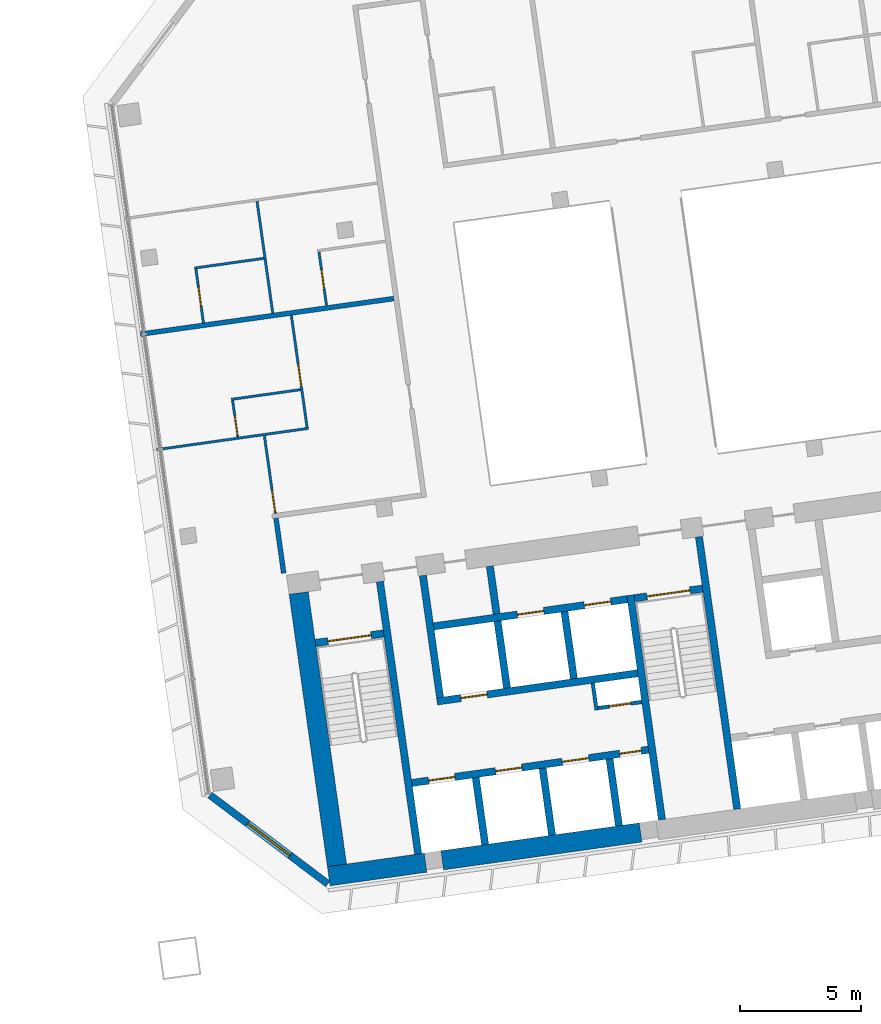
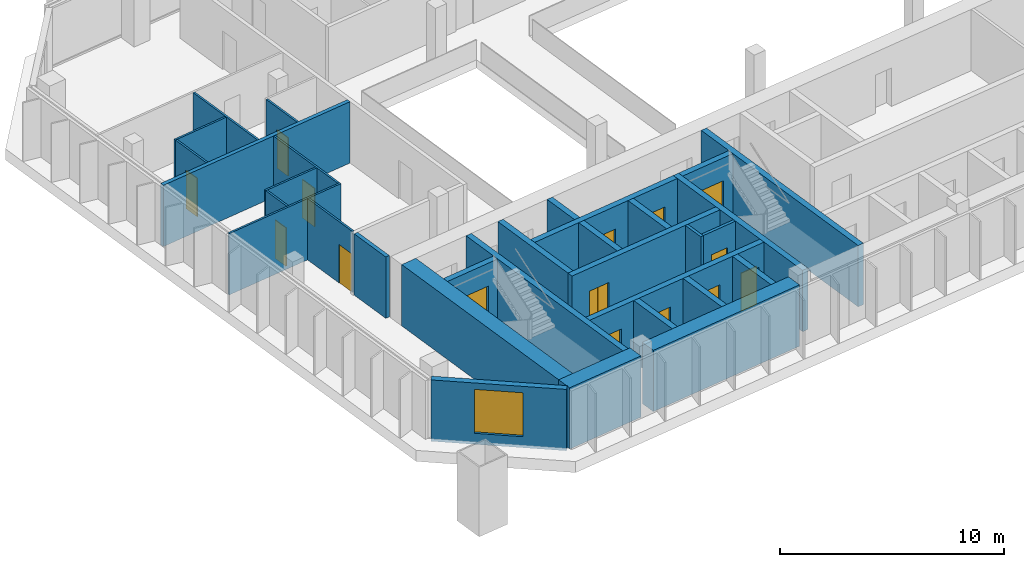
# One storey, part 18 of 26: 32 walls, 15 doors, 1 window, 16 openings.
"""IFC4 building model written with IfcOpenShell, lengths in metres."""

import ifcopenshell
import ifcopenshell.guid

model = None  # the IFC model being written
_history = None  # IfcOwnerHistory: only IFC2X3 demands one
_inside = {}  # id of a spatial element -> (the spatial element, [elements in it])
_under = {}  # id of a project, library or spatial element -> (it, [spatial elements below it])
_declared = {}  # id of a project -> (the project, [libraries it declares])
_typed = {}  # id of a type object -> (the type object, [elements of that type])
_made_of = {}  # id of a material, layer set ... -> (it, [elements and type objects made of it])


def new_model(schema):
    """Start an empty IFC model of exactly this schema.

    Asked for "IFC4X3", IfcOpenShell would pick the latest addendum, in which some entities
    have other attributes; the version numbers below select the first issue.
    IFC2X3 requires an IfcOwnerHistory on every rooted entity: one is made here for all.
    """
    global model, _history
    if schema == "IFC4X3":
        model = ifcopenshell.file(schema_version=(4, 3, 0, 0))
    else:
        model = ifcopenshell.file(schema=schema)
    _inside.clear()
    _under.clear()
    _declared.clear()
    _typed.clear()
    _made_of.clear()
    _history = None
    if model.schema == "IFC2X3":
        org = make("IfcOrganization", Name="unknown")
        user = make(
            "IfcPersonAndOrganization",
            ThePerson=make("IfcPerson", FamilyName="unknown"),
            TheOrganization=org,
        )
        app = make(
            "IfcApplication",
            ApplicationDeveloper=org,
            Version="unknown",
            ApplicationFullName="unknown",
            ApplicationIdentifier="unknown",
        )
        _history = make(
            "IfcOwnerHistory",
            OwningUser=user,
            OwningApplication=app,
            ChangeAction="ADDED",
            CreationDate=0,
        )
    return model


def make(cls, **values):
    """One entity of the class cls with the attributes given. An attribute that is None is left unset."""
    return model.create_entity(
        cls, **{name: value for name, value in values.items() if value is not None}
    )


def rooted(cls, **values):
    """An entity with a GlobalId (a new one), such as an element, a storey or a relation."""
    return make(cls, GlobalId=ifcopenshell.guid.new(), OwnerHistory=_history, **values)


def si_unit(unit_type, name, prefix=None):
    """IfcSIUnit, for example si_unit("LENGTHUNIT", "METRE", prefix="MILLI")."""
    return make("IfcSIUnit", UnitType=unit_type, Prefix=prefix, Name=name)


def assignment(units):
    """IfcUnitAssignment: the units of a project."""
    return None if units is None else make("IfcUnitAssignment", Units=units)


def point(xyz):
    """IfcCartesianPoint."""
    return None if xyz is None else make("IfcCartesianPoint", Coordinates=xyz)


def direction(xyz):
    """IfcDirection."""
    return None if xyz is None else make("IfcDirection", DirectionRatios=xyz)


def frame(location, z_axis=None, x_axis=None):
    """IfcAxis2Placement3D, a coordinate frame: its origin and axes. An axis left out is left unset."""
    return make(
        "IfcAxis2Placement3D",
        Location=point(location),
        Axis=direction(z_axis),
        RefDirection=direction(x_axis),
    )


def frame_2d(location, x_axis=None):
    """IfcAxis2Placement2D, a coordinate frame in the plane: its origin and x axis."""
    return make(
        "IfcAxis2Placement2D", Location=point(location), RefDirection=direction(x_axis)
    )


def origin():
    """The frame at (0, 0, 0) with its axes left unset."""
    return frame((0.0, 0.0, 0.0))


def place(relative_to, where):
    """IfcLocalPlacement: puts the frame where relative to a parent placement (None: the world)."""
    return make(
        "IfcLocalPlacement", PlacementRelTo=relative_to, RelativePlacement=where
    )


def context(
    kind, dimensions, precision=None, world=None, true_north=None, identifier=None
):
    """IfcGeometricRepresentationContext, for example the 3D "Model" context."""
    return make(
        "IfcGeometricRepresentationContext",
        ContextIdentifier=identifier,
        ContextType=kind,
        CoordinateSpaceDimension=dimensions,
        Precision=precision,
        WorldCoordinateSystem=world,
        TrueNorth=true_north,
    )


def subcontext(parent, identifier, kind, view, scale=None):
    """IfcGeometricRepresentationSubContext, for example "Body" below "Model"."""
    return make(
        "IfcGeometricRepresentationSubContext",
        ContextIdentifier=identifier,
        ContextType=kind,
        ParentContext=parent,
        TargetScale=scale,
        TargetView=view,
    )


def project(units=None, contexts=None):
    """IfcProject with its units and contexts."""
    return rooted(
        "IfcProject",
        Name="project",
        RepresentationContexts=contexts,
        UnitsInContext=assignment(units),
    )


def spatial(cls, under=None, at=None, **own):
    """A site, building, storey or space (cls), placed at a placement, below another one or the project."""
    s = rooted(cls, ObjectPlacement=at, **own)
    if under is not None:
        _under.setdefault(under.id(), (under, []))[1].append(s)
    return s


def profile(cls, at=None, kind="AREA", **sizes):
    """A parametric profile (cls). Its sizes go by their IFC names, for example OverallWidth=200.0."""
    return make(cls, ProfileType=kind, Position=at, **sizes)


def rectangle(**sizes):
    """IfcRectangleProfileDef."""
    return profile("IfcRectangleProfileDef", **sizes)


def extrude(swept, where, along, depth):
    """IfcExtrudedAreaSolid: the profile swept, set in the frame where, extruded along a direction by depth."""
    return make(
        "IfcExtrudedAreaSolid",
        SweptArea=swept,
        Position=where,
        ExtrudedDirection=direction(along),
        Depth=depth,
    )


def shape(context_of_items, identifier, shape_type, items):
    """IfcShapeRepresentation: the items that make up one representation, for example the "Body"."""
    return make(
        "IfcShapeRepresentation",
        ContextOfItems=context_of_items,
        RepresentationIdentifier=identifier,
        RepresentationType=shape_type,
        Items=items,
    )


def material(Name=None, Category=None):
    """IfcMaterial."""
    return make("IfcMaterial", Name=Name, Category=Category)


def layer(
    of_material, thickness, ventilated=None, Name=None, Category=None, Priority=None
):
    """IfcMaterialLayer: one layer of a wall or slab, of a material (None: an air gap)."""
    return make(
        "IfcMaterialLayer",
        Material=of_material,
        LayerThickness=thickness,
        IsVentilated=ventilated,
        Name=Name,
        Category=Category,
        Priority=Priority,
    )


def layer_set(layers, Name=None):
    """IfcMaterialLayerSet."""
    return make("IfcMaterialLayerSet", MaterialLayers=layers, LayerSetName=Name)


def made_of(thing, what):
    """Note that an element or type object is made of a material, layer set ...; save() writes the relation."""
    if what is not None:
        _made_of.setdefault(what.id(), (what, []))[1].append(thing)
    return thing


def type_object(cls, material=None, **own):
    """A type object (cls), such as IfcWallType, which elements share."""
    return made_of(rooted(cls, **own), material)


def element(
    cls,
    number,
    at=None,
    inside=None,
    cuts=None,
    type_object=None,
    material=None,
    context=None,
    identifier="Body",
    shape_type=None,
    held_by="IfcProductDefinitionShape",
    body=None,
    shapes=None,
    **own,
):
    """One element of the class cls, such as IfcWall. Its Tag is "e" and its number.

    at: its placement. inside: the storey or other place that contains it. cuts: it is an
    opening in that element (IfcRelVoidsElement). A single representation is given by context,
    identifier, shape_type and body (its items); several are given by shapes. held_by: the class
    of the entity that holds the representations. save() writes the other relations.
    """
    e = rooted(cls, Tag="e%d" % number, ObjectPlacement=at, **own)
    if body is not None:
        shapes = [shape(context, identifier, shape_type, body)]
    if shapes is not None:
        e.Representation = make(held_by, Representations=shapes)
    if inside is not None:
        _inside.setdefault(inside.id(), (inside, []))[1].append(e)
    if cuts is not None:
        rooted(
            "IfcRelVoidsElement", RelatingBuildingElement=cuts, RelatedOpeningElement=e
        )
    if type_object is not None:
        _typed.setdefault(type_object.id(), (type_object, []))[1].append(e)
    return made_of(e, material)


def fill(opening, filler):
    """IfcRelFillsElement: the door or window that sits in an opening."""
    return rooted(
        "IfcRelFillsElement",
        RelatingOpeningElement=opening,
        RelatedBuildingElement=filler,
    )


def aggregate(whole, parts):
    """IfcRelAggregates: a whole, such as a stair, and the parts it consists of."""
    return rooted("IfcRelAggregates", RelatingObject=whole, RelatedObjects=parts)


def save(model, path):
    """Write the relations noted so far, then the file.

    IfcRelAggregates (storeys below a building ...), IfcRelContainedInSpatialStructure (elements
    in a storey), IfcRelDefinesByType, IfcRelAssociatesMaterial and IfcRelDeclares: one each for
    every whole, place, type object, material and project.
    """
    for whole, parts in _under.values():
        aggregate(whole, parts)
    for where, things in _inside.values():
        rooted(
            "IfcRelContainedInSpatialStructure",
            RelatedElements=things,
            RelatingStructure=where,
        )
    for kind, things in _typed.values():
        rooted("IfcRelDefinesByType", RelatedObjects=things, RelatingType=kind)
    for what, things in _made_of.values():
        rooted("IfcRelAssociatesMaterial", RelatedObjects=things, RelatingMaterial=what)
    for by, libraries in _declared.values():
        rooted("IfcRelDeclares", RelatingContext=by, RelatedDefinitions=libraries)
    model.write(path)


model = new_model("IFC4")

# Units and contexts
model_context = context("Model", 3, precision=1e-05, world=origin(), true_north=direction((0.0, 1.0)))
body_context = subcontext(model_context, "Body", "Model", "MODEL_VIEW")
ifc_project = project(units=[si_unit("LENGTHUNIT", "METRE"), si_unit("AREAUNIT", "SQUARE_METRE"), si_unit("VOLUMEUNIT", "CUBIC_METRE"), si_unit("PLANEANGLEUNIT", "RADIAN"), si_unit("MASSUNIT", "GRAM", prefix="KILO")], contexts=[model_context])

# Site, building, storey
site_placement = place(None, origin())
site = spatial("IfcSite", under=ifc_project, at=site_placement, CompositionType="ELEMENT")
building_placement = place(site_placement, origin())
building = spatial("IfcBuilding", under=site, at=building_placement, Name="Mirante Cascada Hotel Towers", CompositionType="ELEMENT")
storey_placement = place(building_placement, frame((0.0, 0.0, 113.9)))
storey = spatial("IfcBuildingStorey", under=building, at=storey_placement, Name="L25", CompositionType="ELEMENT", Elevation=113.9)

# Walls
ifc_material_1 = material(Name="Fire-rated plasterboard on metal studs")
ifc_layer_1 = layer(ifc_material_1, 0.2)
ifc_layer_set_1 = layer_set([ifc_layer_1], Name="Compartment wall 200 EI 120")
wall_type_1 = type_object("IfcWallType", Name="Compartment wall 200 EI 120", PredefinedType="PARTITIONING", material=ifc_layer_set_1)
wall_1_placement = place(storey_placement, frame((39.8242, 4.2615, 0.0), z_axis=(0.0, 0.0, 1.0), x_axis=(-0.9902686, -0.1391691, 0.0)))
element("IfcWall", 1, at=wall_1_placement, inside=storey, type_object=wall_type_1, Name="Wall 2-L25-09", PredefinedType="PARTITIONING", context=body_context, shape_type="SweptSolid", body=[
    extrude(rectangle(XDim=10.6001, YDim=0.2, at=frame_2d((5.3, 0.0))), origin(), (0.0, 0.0, 1.0), 3.35),
])
wall_2_placement = place(storey_placement, frame((35.2634, -7.1173, 0.0), z_axis=(0.0, 0.0, 1.0), x_axis=(-0.1391749, 0.9902678, 0.0)))
element("IfcWall", 2, at=wall_2_placement, inside=storey, type_object=wall_type_1, Name="Wall 2-L25-28", PredefinedType="PARTITIONING", context=body_context, shape_type="SweptSolid", body=[
    extrude(rectangle(XDim=2.3, YDim=0.2, at=frame_2d((1.15, 0.0))), origin(), (0.0, 0.0, 1.0), 3.35),
])
ifc_material_2 = material(Name="Masonry block", Category="masonry")
ifc_layer_2 = layer(ifc_material_2, 0.15)
ifc_layer_set_2 = layer_set([ifc_layer_2], Name="Core room partition 150 block EI 30")
wall_type_2 = type_object("IfcWallType", Name="Core room partition 150 block EI 30", PredefinedType="PARTITIONING", material=ifc_layer_set_2)
wall_3_placement = place(storey_placement, frame((48.2295, -12.793, 0.0), z_axis=(0.0, 0.0, 1.0), x_axis=(-0.1391935, 0.9902652, 0.0)))
element("IfcWall", 3, at=wall_3_placement, inside=storey, type_object=wall_type_2, Name="Core wall partition T2 L25 2", PredefinedType="PARTITIONING", context=body_context, shape_type="SweptSolid", body=[
    extrude(rectangle(XDim=1.1251, YDim=0.15, at=frame_2d((0.5626, 0.0))), origin(), (0.0, 0.0, 1.0), 3.35),
])

# Wall, opening, door
wall_4_placement = place(storey_placement, frame((48.2933, -12.7083, 0.0), z_axis=(0.0, 0.0, 1.0), x_axis=(0.990268, 0.1391734, 0.0)))
wall_4 = element("IfcWall", 4, at=wall_4_placement, inside=storey, type_object=wall_type_2, Name="Core wall partition T2 L25 3", PredefinedType="PARTITIONING", context=body_context, shape_type="SweptSolid", body=[
    extrude(rectangle(XDim=1.8251, YDim=0.15, at=frame_2d((0.9126, 0.0))), origin(), (0.0, 0.0, 1.0), 3.35),
])
opening_1_placement = place(wall_4_placement, frame((0.4625, 0.0, 0.0)))
opening_1 = element("IfcOpeningElement", 5, at=opening_1_placement, cuts=wall_4, Name="Opening D2-25-C23", PredefinedType="OPENING", context=body_context, shape_type="SweptSolid", body=[
    extrude(rectangle(XDim=0.9, YDim=2.1, at=frame_2d((0.45, 1.05))), frame((0.0, 0.075, 0.0), z_axis=(0.0, -1.0, 0.0), x_axis=(1.0, 0.0, 0.0)), (0.0, 0.0, 1.0), 0.15),
])
ifc_material_3 = material(Name="Hollow metal fire door leaf")
door_type_1 = type_object("IfcDoorType", Name="Fire door 900x2100 FD60", OperationType="NOTDEFINED", PredefinedType="DOOR", material=ifc_material_3)
door_1_placement = place(opening_1_placement, frame((0.9, 0.0, 0.0), z_axis=(0.0, 0.0, 1.0), x_axis=(-1.0, 0.0, 0.0)))
door_1 = element("IfcDoor", 6, at=door_1_placement, inside=storey, type_object=door_type_1, Name="Riser door T2 L25 23", OperationType="SINGLE_SWING_RIGHT", OverallHeight=2.1, OverallWidth=0.9, PredefinedType="DOOR", context=body_context, shape_type="SweptSolid", body=[
    extrude(rectangle(XDim=0.9, YDim=2.1, at=frame_2d((0.45, 1.05))), frame((0.0, 0.025, 0.0), z_axis=(0.0, -1.0, 0.0), x_axis=(1.0, 0.0, 0.0)), (0.0, 0.0, 1.0), 0.05),
])
fill(opening_1, door_1)

# Walls
ifc_material_4 = material(Name="Masonry block", Category="masonry")
ifc_layer_3 = layer(ifc_material_4, 0.3)
ifc_layer_set_3 = layer_set([ifc_layer_3], Name="Core wall 300 block EI 120")
wall_type_3 = type_object("IfcWallType", Name="Core wall 300 block EI 120", PredefinedType="PARTITIONING", material=ifc_layer_set_3)
wall_5_placement = place(storey_placement, frame((44.0843, -8.8061, 0.0), z_axis=(0.0, 0.0, 1.0), x_axis=(-0.1391951, 0.990265, 0.0)))
element("IfcWall", 7, at=wall_5_placement, inside=storey, type_object=wall_type_3, Name="Core wall partition T2 L25 1", PredefinedType="PARTITIONING", context=body_context, shape_type="SweptSolid", body=[
    extrude(rectangle(XDim=2.0001, YDim=0.3, at=frame_2d((1.0001, 0.0))), origin(), (0.0, 0.0, 1.0), 3.35),
])
ifc_material_5 = material(Name="Plasterboard on metal studs")
ifc_layer_4 = layer(ifc_material_5, 0.1)
ifc_layer_set_4 = layer_set([ifc_layer_4], Name="Partition 100")
wall_type_4 = type_object("IfcWallType", Name="Partition 100", PredefinedType="PARTITIONING", material=ifc_layer_set_4)
wall_6_placement = place(storey_placement, frame((36.2882, -1.1163, 0.0), z_axis=(0.0, 0.0, 1.0), x_axis=(-0.9902691, -0.1391656, 0.0)))
element("IfcWall", 8, at=wall_6_placement, inside=storey, type_object=wall_type_4, Name="Wall 2-L25-05", PredefinedType="PARTITIONING", context=body_context, shape_type="SweptSolid", body=[
    extrude(rectangle(XDim=6.35, YDim=0.1, at=frame_2d((3.175, 0.0))), origin(), (0.0, 0.0, 1.0), 3.35),
])
for number, where, z_axis, x_axis, name in (
    (9, (35.9619, 0.4872, 0.0), (0.0, 0.0, 1.0), (-0.9902683, -0.1391714, 0.0), "Wall 2-L25-07"),
    (10, (34.4398, 5.9284, 0.0), (0.0, 0.0, 1.0), (-0.9902683, -0.1391714, 0.0), "Wall 2-L25-11"),
):
    element("IfcWall", number, at=place(storey_placement, frame(where, z_axis=z_axis, x_axis=x_axis)), inside=storey, type_object=wall_type_4, Name=name, PredefinedType="PARTITIONING", context=body_context, shape_type="SweptSolid", body=[
        extrude(rectangle(XDim=2.9, YDim=0.1, at=frame_2d((1.45, 0.0))), origin(), (0.0, 0.0, 1.0), 3.35),
    ])

# Wall, opening, door
wall_7_placement = place(storey_placement, frame((31.9376, 3.2541, 0.0), z_axis=(0.0, 0.0, 1.0), x_axis=(-0.1391561, 0.9902705, 0.0)))
wall_7 = element("IfcWall", 11, at=wall_7_placement, inside=storey, type_object=wall_type_4, Name="Wall 2-L25-26", PredefinedType="PARTITIONING", context=body_context, shape_type="SweptSolid", body=[
    extrude(rectangle(XDim=2.25, YDim=0.1, at=frame_2d((1.125, 0.0))), origin(), (0.0, 0.0, 1.0), 3.35),
])
opening_2_placement = place(wall_7_placement, frame((0.7, 0.0, 0.0)))
opening_2 = element("IfcOpeningElement", 12, at=opening_2_placement, cuts=wall_7, Name="Opening D2-L25-21", PredefinedType="OPENING", context=body_context, shape_type="SweptSolid", body=[
    extrude(rectangle(XDim=0.8, YDim=2.1, at=frame_2d((0.4, 1.05))), frame((0.0, 0.05, 0.0), z_axis=(0.0, -1.0, 0.0), x_axis=(1.0, 0.0, 0.0)), (0.0, 0.0, 1.0), 0.1),
])
ifc_material_6 = material(Name="Timber door leaf", Category="wood")
door_type_2 = type_object("IfcDoorType", Name="Bathroom door DG4 800x2100", OperationType="SINGLE_SWING_LEFT", PredefinedType="DOOR", material=ifc_material_6)
door_2_placement = place(opening_2_placement, frame((0.8, 0.0, 0.0), z_axis=(0.0, 0.0, 1.0), x_axis=(-1.0, 0.0, 0.0)))
door_2 = element("IfcDoor", 13, at=door_2_placement, inside=storey, type_object=door_type_2, Name="Door D2-L25-21", OperationType="SINGLE_SWING_RIGHT", OverallHeight=2.1, OverallWidth=0.8, PredefinedType="DOOR", context=body_context, shape_type="SweptSolid", body=[
    extrude(rectangle(XDim=0.8, YDim=2.1, at=frame_2d((0.4, 1.05))), frame((0.0, 0.025, 0.0), z_axis=(0.0, -1.0, 0.0), x_axis=(1.0, 0.0, 0.0)), (0.0, 0.0, 1.0), 0.05),
])
fill(opening_2, door_2)

wall_8_placement = place(storey_placement, frame((33.1466, 0.0411, 0.0), z_axis=(0.0, 0.0, 1.0), x_axis=(0.1391749, -0.9902678, 0.0)))
wall_8 = element("IfcWall", 14, at=wall_8_placement, inside=storey, type_object=wall_type_4, Name="Wall 2-L25-27", PredefinedType="PARTITIONING", context=body_context, shape_type="SweptSolid", body=[
    extrude(rectangle(XDim=1.5333, YDim=0.1, at=frame_2d((0.7667, 0.0))), origin(), (0.0, 0.0, 1.0), 3.35),
])
opening_3_placement = place(wall_8_placement, frame((0.6333, 0.0, 0.0)))
opening_3 = element("IfcOpeningElement", 15, at=opening_3_placement, cuts=wall_8, Name="Opening D2-L25-22", PredefinedType="OPENING", context=body_context, shape_type="SweptSolid", body=[
    extrude(rectangle(XDim=0.8, YDim=2.1, at=frame_2d((0.4, 1.05))), frame((0.0, 0.05, 0.0), z_axis=(0.0, -1.0, 0.0), x_axis=(1.0, 0.0, 0.0)), (0.0, 0.0, 1.0), 0.1),
])
door_3_placement = place(opening_3_placement, frame((0.8, 0.0, 0.0), z_axis=(0.0, 0.0, 1.0), x_axis=(-1.0, 0.0, 0.0)))
door_3 = element("IfcDoor", 16, at=door_3_placement, inside=storey, type_object=door_type_2, Name="Door D2-L25-22", OperationType="SINGLE_SWING_RIGHT", OverallHeight=2.1, OverallWidth=0.8, PredefinedType="DOOR", context=body_context, shape_type="SweptSolid", body=[
    extrude(rectangle(XDim=0.8, YDim=2.1, at=frame_2d((0.4, 1.05))), frame((0.0, 0.025, 0.0), z_axis=(0.0, -1.0, 0.0), x_axis=(1.0, 0.0, 0.0)), (0.0, 0.0, 1.0), 0.05),
])
fill(opening_3, door_3)

wall_9_placement = place(storey_placement, frame((34.4632, -1.4232, 0.0), z_axis=(0.0, 0.0, 1.0), x_axis=(0.1391681, -0.9902688, 0.0)))
wall_9 = element("IfcWall", 17, at=wall_9_placement, inside=storey, type_object=wall_type_4, Name="Wall 2-L25-29", PredefinedType="PARTITIONING", context=body_context, shape_type="SweptSolid", body=[
    extrude(rectangle(XDim=3.25, YDim=0.1, at=frame_2d((1.625, 0.0))), origin(), (0.0, 0.0, 1.0), 3.35),
])
opening_4_placement = place(wall_9_placement, frame((2.3, 0.0, 0.0)))
opening_4 = element("IfcOpeningElement", 18, at=opening_4_placement, cuts=wall_9, Name="Opening D2-L25-23", PredefinedType="OPENING", context=body_context, shape_type="SweptSolid", body=[
    extrude(rectangle(XDim=0.9, YDim=2.1, at=frame_2d((0.45, 1.05))), frame((0.0, 0.05, 0.0), z_axis=(0.0, -1.0, 0.0), x_axis=(1.0, 0.0, 0.0)), (0.0, 0.0, 1.0), 0.1),
])
ifc_material_7 = material(Name="Timber door leaf", Category="wood")
door_type_3 = type_object("IfcDoorType", Name="Room door DG3 900x2100", OperationType="SINGLE_SWING_LEFT", PredefinedType="DOOR", material=ifc_material_7)
door_4_placement = place(opening_4_placement, frame((0.9, 0.0, 0.0), z_axis=(0.0, 0.0, 1.0), x_axis=(-1.0, 0.0, 0.0)))
door_4 = element("IfcDoor", 19, at=door_4_placement, inside=storey, type_object=door_type_3, Name="Door D2-L25-23", OperationType="SINGLE_SWING_RIGHT", OverallHeight=2.1, OverallWidth=0.9, PredefinedType="DOOR", context=body_context, shape_type="SweptSolid", body=[
    extrude(rectangle(XDim=0.9, YDim=2.1, at=frame_2d((0.45, 1.05))), frame((0.0, 0.025, 0.0), z_axis=(0.0, -1.0, 0.0), x_axis=(1.0, 0.0, 0.0)), (0.0, 0.0, 1.0), 0.05),
])
fill(opening_4, door_4)

# Wall
wall_10_placement = place(storey_placement, frame((34.8094, 3.6577, 0.0), z_axis=(0.0, 0.0, 1.0), x_axis=(-0.139173, 0.9902681, 0.0)))
element("IfcWall", 20, at=wall_10_placement, inside=storey, type_object=wall_type_4, Name="Wall 2-L25-30", PredefinedType="PARTITIONING", context=body_context, shape_type="SweptSolid", body=[
    extrude(rectangle(XDim=4.6834, YDim=0.1, at=frame_2d((2.3417, 0.0))), origin(), (0.0, 0.0, 1.0), 3.35),
])

# Wall, opening, door
wall_11_placement = place(storey_placement, frame((35.5799, 3.564, 0.0), z_axis=(0.0, 0.0, 1.0), x_axis=(0.139176, -0.9902677, 0.0)))
wall_11 = element("IfcWall", 21, at=wall_11_placement, inside=storey, type_object=wall_type_4, Name="Wall 2-L25-31", PredefinedType="PARTITIONING", context=body_context, shape_type="SweptSolid", body=[
    extrude(rectangle(XDim=4.6833, YDim=0.1, at=frame_2d((2.3416, 0.0))), origin(), (0.0, 0.0, 1.0), 3.35),
])
opening_5_placement = place(wall_11_placement, frame((2.05, 0.0, 0.0)))
opening_5 = element("IfcOpeningElement", 22, at=opening_5_placement, cuts=wall_11, Name="Opening D2-L25-24", PredefinedType="OPENING", context=body_context, shape_type="SweptSolid", body=[
    extrude(rectangle(XDim=0.9, YDim=2.1, at=frame_2d((0.45, 1.05))), frame((0.0, 0.05, 0.0), z_axis=(0.0, -1.0, 0.0), x_axis=(1.0, 0.0, 0.0)), (0.0, 0.0, 1.0), 0.1),
])
door_5_placement = place(opening_5_placement, origin())
door_5 = element("IfcDoor", 23, at=door_5_placement, inside=storey, type_object=door_type_3, Name="Door D2-L25-24", OperationType="SINGLE_SWING_LEFT", OverallHeight=2.1, OverallWidth=0.9, PredefinedType="DOOR", context=body_context, shape_type="SweptSolid", body=[
    extrude(rectangle(XDim=0.9, YDim=2.1, at=frame_2d((0.45, 1.05))), frame((0.0, 0.025, 0.0), z_axis=(0.0, -1.0, 0.0), x_axis=(1.0, 0.0, 0.0)), (0.0, 0.0, 1.0), 0.05),
])
fill(opening_5, door_5)

wall_12_placement = place(storey_placement, frame((37.0375, 3.9708, 0.0), z_axis=(0.0, 0.0, 1.0), x_axis=(-0.1391561, 0.9902705, 0.0)))
wall_12 = element("IfcWall", 24, at=wall_12_placement, inside=storey, type_object=wall_type_4, Name="Wall 2-L25-32", PredefinedType="PARTITIONING", context=body_context, shape_type="SweptSolid", body=[
    extrude(rectangle(XDim=2.25, YDim=0.1, at=frame_2d((1.125, 0.0))), origin(), (0.0, 0.0, 1.0), 3.35),
])
opening_6_placement = place(wall_12_placement, frame((0.7, 0.0, 0.0)))
opening_6 = element("IfcOpeningElement", 25, at=opening_6_placement, cuts=wall_12, Name="Opening D2-L25-25", PredefinedType="OPENING", context=body_context, shape_type="SweptSolid", body=[
    extrude(rectangle(XDim=0.8, YDim=2.1, at=frame_2d((0.4, 1.05))), frame((0.0, 0.05, 0.0), z_axis=(0.0, -1.0, 0.0), x_axis=(1.0, 0.0, 0.0)), (0.0, 0.0, 1.0), 0.1),
])
door_6_placement = place(opening_6_placement, frame((0.8, 0.0, 0.0), z_axis=(0.0, 0.0, 1.0), x_axis=(-1.0, 0.0, 0.0)))
door_6 = element("IfcDoor", 26, at=door_6_placement, inside=storey, type_object=door_type_2, Name="Door D2-L25-25", OperationType="SINGLE_SWING_RIGHT", OverallHeight=2.1, OverallWidth=0.8, PredefinedType="DOOR", context=body_context, shape_type="SweptSolid", body=[
    extrude(rectangle(XDim=0.8, YDim=2.1, at=frame_2d((0.4, 1.05))), frame((0.0, 0.025, 0.0), z_axis=(0.0, -1.0, 0.0), x_axis=(1.0, 0.0, 0.0)), (0.0, 0.0, 1.0), 0.05),
])
fill(opening_6, door_6)

# Wall, opening, window
ifc_material_8 = material(Name="Precast concrete C40/50", Category="concrete")
ifc_layer_5 = layer(ifc_material_8, 0.3)
ifc_layer_set_5 = layer_set([ifc_layer_5], Name="Precast concrete C40/50 cladding wall 300")
wall_type_5 = type_object("IfcWallType", Name="Precast concrete C40/50 cladding wall 300", PredefinedType="STANDARD", material=ifc_layer_set_5)
wall_13_placement = place(storey_placement, frame((32.2074, -16.3138, 0.0), z_axis=(0.0, 0.0, 1.0), x_axis=(0.7986362, -0.6018141, 0.0)))
wall_13 = element("IfcWall", 27, at=wall_13_placement, inside=storey, type_object=wall_type_5, Name="Corner cladding wall T2 L25 inner rear", PredefinedType="STANDARD", context=body_context, shape_type="SweptSolid", body=[
    extrude(rectangle(XDim=6.1157, YDim=0.3, at=frame_2d((3.0578, 0.0))), origin(), (0.0, 0.0, 1.0), 3.35),
])
opening_7_placement = place(wall_13_placement, frame((1.9578, 0.0, 0.6)))
opening_7 = element("IfcOpeningElement", 28, at=opening_7_placement, cuts=wall_13, Name="Opening W2-25-06", PredefinedType="OPENING", context=body_context, shape_type="SweptSolid", body=[
    extrude(rectangle(XDim=2.2, YDim=2.4, at=frame_2d((1.1, 1.2))), frame((0.0, 0.15, 0.0), z_axis=(0.0, -1.0, 0.0), x_axis=(1.0, 0.0, 0.0)), (0.0, 0.0, 1.0), 0.3),
])
ifc_material_9 = material(Name="Aluminium frame with clear double glazing", Category="aluminium")
window_type = type_object("IfcWindowType", Name="Corner suite window 2200x2400", PartitioningType="DOUBLE_PANEL_VERTICAL", PredefinedType="WINDOW", material=ifc_material_9)
window_placement = place(opening_7_placement, origin())
window = element("IfcWindow", 29, at=window_placement, inside=storey, type_object=window_type, Name="Window W2-25-06", OverallHeight=2.4, OverallWidth=2.2, PartitioningType="SINGLE_PANEL", PredefinedType="WINDOW", context=body_context, shape_type="SweptSolid", body=[
    extrude(rectangle(XDim=2.2, YDim=2.4, at=frame_2d((1.1, 1.2))), frame((0.0, 0.03, 0.0), z_axis=(0.0, -1.0, 0.0), x_axis=(1.0, 0.0, 0.0)), (0.0, 0.0, 1.0), 0.06),
])
fill(opening_7, window)

# Walls
ifc_material_10 = material(Name="Concrete C50/60", Category="concrete")
ifc_layer_6 = layer(ifc_material_10, 0.3)
ifc_layer_set_6 = layer_set([ifc_layer_6], Name="RC core wall 300 C50/60")
wall_type_6 = type_object("IfcWallType", Name="RC core wall 300 C50/60", PredefinedType="SHEAR", material=ifc_layer_set_6)
wall_14_placement = place(storey_placement, frame((40.8373, -18.7548, 0.0), z_axis=(0.0, 0.0, 1.0), x_axis=(-0.1391749, 0.9902678, 0.0)))
element("IfcWall", 30, at=wall_14_placement, inside=storey, type_object=wall_type_6, Name="Core wall T2:L25:5", PredefinedType="SHEAR", context=body_context, shape_type="SweptSolid", body=[
    extrude(rectangle(XDim=11.4, YDim=0.3, at=frame_2d((5.7, 0.0))), origin(), (0.0, 0.0, 1.0), 3.35),
])
wall_15_placement = place(storey_placement, frame((50.938, -17.3352, 0.0), z_axis=(0.0, 0.0, 1.0), x_axis=(-0.1391706, 0.9902684, 0.0)))
element("IfcWall", 31, at=wall_15_placement, inside=storey, type_object=wall_type_6, Name="Core wall T2:L25:6", PredefinedType="SHEAR", context=body_context, shape_type="SweptSolid", body=[
    extrude(rectangle(XDim=9.4, YDim=0.3, at=frame_2d((4.7, 0.0))), origin(), (0.0, 0.0, 1.0), 3.35),
])
wall_16_placement = place(storey_placement, frame((54.0574, -16.8968, 0.0), z_axis=(0.0, 0.0, 1.0), x_axis=(-0.1391761, 0.9902677, 0.0)))
element("IfcWall", 32, at=wall_16_placement, inside=storey, type_object=wall_type_6, Name="Core wall T2:L25:7", PredefinedType="SHEAR", context=body_context, shape_type="SweptSolid", body=[
    extrude(rectangle(XDim=11.3999, YDim=0.3, at=frame_2d((5.7, 0.0))), origin(), (0.0, 0.0, 1.0), 3.35),
])

# Wall, opening, door
wall_17_placement = place(storey_placement, frame((36.5791, -10.0123, 0.0), z_axis=(0.0, 0.0, 1.0), x_axis=(0.9902704, 0.1391564, 0.0)))
wall_17 = element("IfcWall", 33, at=wall_17_placement, inside=storey, type_object=wall_type_6, Name="Core wall T2:L25:9", PredefinedType="SHEAR", context=body_context, shape_type="SweptSolid", body=[
    extrude(rectangle(XDim=2.85, YDim=0.3, at=frame_2d((1.425, 0.0))), origin(), (0.0, 0.0, 1.0), 3.35),
])
opening_8_placement = place(wall_17_placement, frame((0.525, 0.0, 0.0)))
opening_8 = element("IfcOpeningElement", 34, at=opening_8_placement, cuts=wall_17, Name="Opening D2-25-C13", PredefinedType="OPENING", context=body_context, shape_type="SweptSolid", body=[
    extrude(rectangle(XDim=1.8, YDim=2.1, at=frame_2d((0.9, 1.05))), frame((0.0, 0.15, 0.0), z_axis=(0.0, -1.0, 0.0), x_axis=(1.0, 0.0, 0.0)), (0.0, 0.0, 1.0), 0.3),
])
ifc_material_11 = material(Name="Hollow metal fire door leaf")
door_type_4 = type_object("IfcDoorType", Name="Double fire door 1800x2100 FD60", OperationType="DOUBLE_DOOR_SINGLE_SWING", PredefinedType="DOOR", material=ifc_material_11)
door_7_placement = place(opening_8_placement, frame((1.8, 0.0, 0.0), z_axis=(0.0, 0.0, 1.0), x_axis=(-1.0, 0.0, 0.0)))
door_7 = element("IfcDoor", 35, at=door_7_placement, inside=storey, type_object=door_type_4, Name="Stair door T2 L25 13", OperationType="DOUBLE_DOOR_SINGLE_SWING", OverallHeight=2.1, OverallWidth=1.8, PredefinedType="DOOR", context=body_context, shape_type="SweptSolid", body=[
    extrude(rectangle(XDim=0.895, YDim=2.1, at=frame_2d((0.4475, 1.05))), frame((0.0, 0.025, 0.0), z_axis=(0.0, -1.0, 0.0), x_axis=(1.0, 0.0, 0.0)), (0.0, 0.0, 1.0), 0.05),
    extrude(rectangle(XDim=0.895, YDim=2.1, at=frame_2d((1.3525, 1.05))), frame((0.0, 0.025, 0.0), z_axis=(0.0, -1.0, 0.0), x_axis=(1.0, 0.0, 0.0)), (0.0, 0.0, 1.0), 0.05),
])
fill(opening_8, door_7)

wall_18_placement = place(storey_placement, frame((49.7992, -8.1544, 0.0), z_axis=(0.0, 0.0, 1.0), x_axis=(0.9902656, 0.1391909, 0.0)))
wall_18 = element("IfcWall", 36, at=wall_18_placement, inside=storey, type_object=wall_type_6, Name="Core wall T2:L25:10", PredefinedType="SHEAR", context=body_context, shape_type="SweptSolid", body=[
    extrude(rectangle(XDim=2.85, YDim=0.3, at=frame_2d((1.425, 0.0))), origin(), (0.0, 0.0, 1.0), 3.35),
])
opening_9_placement = place(wall_18_placement, frame((0.525, 0.0, 0.0)))
opening_9 = element("IfcOpeningElement", 37, at=opening_9_placement, cuts=wall_18, Name="Opening D2-25-C15", PredefinedType="OPENING", context=body_context, shape_type="SweptSolid", body=[
    extrude(rectangle(XDim=1.8, YDim=2.1, at=frame_2d((0.9, 1.05))), frame((0.0, 0.15, 0.0), z_axis=(0.0, -1.0, 0.0), x_axis=(1.0, 0.0, 0.0)), (0.0, 0.0, 1.0), 0.3),
])
door_8_placement = place(opening_9_placement, frame((1.8, 0.0, 0.0), z_axis=(0.0, 0.0, 1.0), x_axis=(-1.0, 0.0, 0.0)))
door_8 = element("IfcDoor", 38, at=door_8_placement, inside=storey, type_object=door_type_4, Name="Stair door T2 L25 15", OperationType="DOUBLE_DOOR_SINGLE_SWING", OverallHeight=2.1, OverallWidth=1.8, PredefinedType="DOOR", context=body_context, shape_type="SweptSolid", body=[
    extrude(rectangle(XDim=0.895, YDim=2.1, at=frame_2d((0.4475, 1.05))), frame((0.0, 0.025, 0.0), z_axis=(0.0, -1.0, 0.0), x_axis=(1.0, 0.0, 0.0)), (0.0, 0.0, 1.0), 0.05),
    extrude(rectangle(XDim=0.895, YDim=2.1, at=frame_2d((1.3525, 1.05))), frame((0.0, 0.025, 0.0), z_axis=(0.0, -1.0, 0.0), x_axis=(1.0, 0.0, 0.0)), (0.0, 0.0, 1.0), 0.05),
])
fill(opening_9, door_8)

# Wall, openings, doors
wall_19_placement = place(storey_placement, frame((40.5753, -15.8126, 0.0), z_axis=(0.0, 0.0, 1.0), x_axis=(0.9902682, 0.1391725, 0.0)))
wall_19 = element("IfcWall", 39, at=wall_19_placement, inside=storey, type_object=wall_type_6, Name="Core wall T2:L25:12", PredefinedType="SHEAR", context=body_context, shape_type="SweptSolid", body=[
    extrude(rectangle(XDim=9.8999, YDim=0.3, at=frame_2d((4.95, 0.0))), origin(), (0.0, 0.0, 1.0), 3.35),
])
opening_10_placement = place(wall_19_placement, frame((0.7, 0.0, 0.0)))
opening_10 = element("IfcOpeningElement", 40, at=opening_10_placement, cuts=wall_19, Name="Opening LD", PredefinedType="OPENING", context=body_context, shape_type="SweptSolid", body=[
    extrude(rectangle(XDim=1.1, YDim=2.1, at=frame_2d((0.55, 1.05))), frame((0.0, 0.15, 0.0), z_axis=(0.0, -1.0, 0.0), x_axis=(1.0, 0.0, 0.0)), (0.0, 0.0, 1.0), 0.3),
])
opening_11_placement = place(wall_19_placement, frame((3.5, 0.0, 0.0)))
opening_11 = element("IfcOpeningElement", 41, at=opening_11_placement, cuts=wall_19, Name="Opening LD", PredefinedType="OPENING", context=body_context, shape_type="SweptSolid", body=[
    extrude(rectangle(XDim=1.1, YDim=2.1, at=frame_2d((0.55, 1.05))), frame((0.0, 0.15, 0.0), z_axis=(0.0, -1.0, 0.0), x_axis=(1.0, 0.0, 0.0)), (0.0, 0.0, 1.0), 0.3),
])
opening_12_placement = place(wall_19_placement, frame((6.3, 0.0, 0.0)))
opening_12 = element("IfcOpeningElement", 42, at=opening_12_placement, cuts=wall_19, Name="Opening LD", PredefinedType="OPENING", context=body_context, shape_type="SweptSolid", body=[
    extrude(rectangle(XDim=1.1, YDim=2.1, at=frame_2d((0.55, 1.05))), frame((0.0, 0.15, 0.0), z_axis=(0.0, -1.0, 0.0), x_axis=(1.0, 0.0, 0.0)), (0.0, 0.0, 1.0), 0.3),
])
opening_13_placement = place(wall_19_placement, frame((8.7, 0.0, 0.0)))
opening_13 = element("IfcOpeningElement", 43, at=opening_13_placement, cuts=wall_19, Name="Opening D2-25-C22", PredefinedType="OPENING", context=body_context, shape_type="SweptSolid", body=[
    extrude(rectangle(XDim=0.9, YDim=2.1, at=frame_2d((0.45, 1.05))), frame((0.0, 0.15, 0.0), z_axis=(0.0, -1.0, 0.0), x_axis=(1.0, 0.0, 0.0)), (0.0, 0.0, 1.0), 0.3),
])
door_9_placement = place(opening_13_placement, frame((0.9, 0.0, 0.0), z_axis=(0.0, 0.0, 1.0), x_axis=(-1.0, 0.0, 0.0)))
door_9 = element("IfcDoor", 44, at=door_9_placement, inside=storey, type_object=door_type_1, Name="Riser door T2 L25 22", OperationType="SINGLE_SWING_RIGHT", OverallHeight=2.1, OverallWidth=0.9, PredefinedType="DOOR", context=body_context, shape_type="SweptSolid", body=[
    extrude(rectangle(XDim=0.9, YDim=2.1, at=frame_2d((0.45, 1.05))), frame((0.0, 0.025, 0.0), z_axis=(0.0, -1.0, 0.0), x_axis=(1.0, 0.0, 0.0)), (0.0, 0.0, 1.0), 0.05),
])
fill(opening_13, door_9)
ifc_material_12 = material(Name="Stainless steel", Category="steel")
door_type_5 = type_object("IfcDoorType", Name="Lift landing door 1100x2100 EI 120", OperationType="DOUBLE_DOOR_SLIDING", PredefinedType="DOOR", material=ifc_material_12)
door_10_placement = place(opening_10_placement, origin())
door_10 = element("IfcDoor", 45, at=door_10_placement, inside=storey, type_object=door_type_5, Name="Lift landing door HR2-1 L25", OperationType="DOUBLE_DOOR_SLIDING", OverallHeight=2.1, OverallWidth=1.1, PredefinedType="DOOR", context=body_context, shape_type="SweptSolid", body=[
    extrude(rectangle(XDim=0.545, YDim=2.1, at=frame_2d((0.2725, 1.05))), frame((0.0, 0.025, 0.0), z_axis=(0.0, -1.0, 0.0), x_axis=(1.0, 0.0, 0.0)), (0.0, 0.0, 1.0), 0.05),
    extrude(rectangle(XDim=0.545, YDim=2.1, at=frame_2d((0.8275, 1.05))), frame((0.0, 0.025, 0.0), z_axis=(0.0, -1.0, 0.0), x_axis=(1.0, 0.0, 0.0)), (0.0, 0.0, 1.0), 0.05),
])
fill(opening_10, door_10)
door_11_placement = place(opening_11_placement, origin())
door_11 = element("IfcDoor", 46, at=door_11_placement, inside=storey, type_object=door_type_5, Name="Lift landing door HR2-2 L25", OperationType="DOUBLE_DOOR_SLIDING", OverallHeight=2.1, OverallWidth=1.1, PredefinedType="DOOR", context=body_context, shape_type="SweptSolid", body=[
    extrude(rectangle(XDim=0.545, YDim=2.1, at=frame_2d((0.2725, 1.05))), frame((0.0, 0.025, 0.0), z_axis=(0.0, -1.0, 0.0), x_axis=(1.0, 0.0, 0.0)), (0.0, 0.0, 1.0), 0.05),
    extrude(rectangle(XDim=0.545, YDim=2.1, at=frame_2d((0.8275, 1.05))), frame((0.0, 0.025, 0.0), z_axis=(0.0, -1.0, 0.0), x_axis=(1.0, 0.0, 0.0)), (0.0, 0.0, 1.0), 0.05),
])
fill(opening_11, door_11)
door_12_placement = place(opening_12_placement, origin())
door_12 = element("IfcDoor", 47, at=door_12_placement, inside=storey, type_object=door_type_5, Name="Lift landing door HR2-3 L25", OperationType="DOUBLE_DOOR_SLIDING", OverallHeight=2.1, OverallWidth=1.1, PredefinedType="DOOR", context=body_context, shape_type="SweptSolid", body=[
    extrude(rectangle(XDim=0.545, YDim=2.1, at=frame_2d((0.2725, 1.05))), frame((0.0, 0.025, 0.0), z_axis=(0.0, -1.0, 0.0), x_axis=(1.0, 0.0, 0.0)), (0.0, 0.0, 1.0), 0.05),
    extrude(rectangle(XDim=0.545, YDim=2.1, at=frame_2d((0.8275, 1.05))), frame((0.0, 0.025, 0.0), z_axis=(0.0, -1.0, 0.0), x_axis=(1.0, 0.0, 0.0)), (0.0, 0.0, 1.0), 0.05),
])
fill(opening_12, door_12)

# Wall, opening, door
wall_20_placement = place(storey_placement, frame((41.6153, -12.435, 0.0), z_axis=(0.0, 0.0, 1.0), x_axis=(0.9902691, 0.139166, 0.0)))
wall_20 = element("IfcWall", 48, at=wall_20_placement, inside=storey, type_object=wall_type_6, Name="Core wall T2:L25:13", PredefinedType="SHEAR", context=body_context, shape_type="SweptSolid", body=[
    extrude(rectangle(XDim=8.4, YDim=0.3, at=frame_2d((4.2, 0.0))), origin(), (0.0, 0.0, 1.0), 3.35),
])
opening_14_placement = place(wall_20_placement, frame((1.0, 0.0, 0.0)))
opening_14 = element("IfcOpeningElement", 49, at=opening_14_placement, cuts=wall_20, Name="Opening LD", PredefinedType="OPENING", context=body_context, shape_type="SweptSolid", body=[
    extrude(rectangle(XDim=1.1, YDim=2.1, at=frame_2d((0.55, 1.05))), frame((0.0, 0.15, 0.0), z_axis=(0.0, -1.0, 0.0), x_axis=(1.0, 0.0, 0.0)), (0.0, 0.0, 1.0), 0.3),
])
door_13_placement = place(opening_14_placement, origin())
door_13 = element("IfcDoor", 50, at=door_13_placement, inside=storey, type_object=door_type_5, Name="Lift landing door HR2-4 L25", OperationType="DOUBLE_DOOR_SLIDING", OverallHeight=2.1, OverallWidth=1.1, PredefinedType="DOOR", context=body_context, shape_type="SweptSolid", body=[
    extrude(rectangle(XDim=0.545, YDim=2.1, at=frame_2d((0.2725, 1.05))), frame((0.0, 0.025, 0.0), z_axis=(0.0, -1.0, 0.0), x_axis=(1.0, 0.0, 0.0)), (0.0, 0.0, 1.0), 0.05),
    extrude(rectangle(XDim=0.545, YDim=2.1, at=frame_2d((0.8275, 1.05))), frame((0.0, 0.025, 0.0), z_axis=(0.0, -1.0, 0.0), x_axis=(1.0, 0.0, 0.0)), (0.0, 0.0, 1.0), 0.05),
])
fill(opening_14, door_13)

# Wall, openings, doors
wall_21_placement = place(storey_placement, frame((41.481, -9.3234, 0.0), z_axis=(0.0, 0.0, 1.0), x_axis=(0.9902679, 0.1391741, 0.0)))
wall_21 = element("IfcWall", 51, at=wall_21_placement, inside=storey, type_object=wall_type_6, Name="Core wall T2:L25:14", PredefinedType="SHEAR", context=body_context, shape_type="SweptSolid", body=[
    extrude(rectangle(XDim=8.0999, YDim=0.3, at=frame_2d((4.05, 0.0))), origin(), (0.0, 0.0, 1.0), 3.35),
])
opening_15_placement = place(wall_21_placement, frame((3.5, 0.0, 0.0)))
opening_15 = element("IfcOpeningElement", 52, at=opening_15_placement, cuts=wall_21, Name="Opening LD", PredefinedType="OPENING", context=body_context, shape_type="SweptSolid", body=[
    extrude(rectangle(XDim=1.1, YDim=2.1, at=frame_2d((0.55, 1.05))), frame((0.0, 0.15, 0.0), z_axis=(0.0, -1.0, 0.0), x_axis=(1.0, 0.0, 0.0)), (0.0, 0.0, 1.0), 0.3),
])
opening_16_placement = place(wall_21_placement, frame((6.3, 0.0, 0.0)))
opening_16 = element("IfcOpeningElement", 53, at=opening_16_placement, cuts=wall_21, Name="Opening LD", PredefinedType="OPENING", context=body_context, shape_type="SweptSolid", body=[
    extrude(rectangle(XDim=1.1, YDim=2.1, at=frame_2d((0.55, 1.05))), frame((0.0, 0.15, 0.0), z_axis=(0.0, -1.0, 0.0), x_axis=(1.0, 0.0, 0.0)), (0.0, 0.0, 1.0), 0.3),
])
door_14_placement = place(opening_15_placement, origin())
door_14 = element("IfcDoor", 54, at=door_14_placement, inside=storey, type_object=door_type_5, Name="Lift landing door FF3 L25", OperationType="DOUBLE_DOOR_SLIDING", OverallHeight=2.1, OverallWidth=1.1, PredefinedType="DOOR", context=body_context, shape_type="SweptSolid", body=[
    extrude(rectangle(XDim=0.545, YDim=2.1, at=frame_2d((0.2725, 1.05))), frame((0.0, 0.025, 0.0), z_axis=(0.0, -1.0, 0.0), x_axis=(1.0, 0.0, 0.0)), (0.0, 0.0, 1.0), 0.05),
    extrude(rectangle(XDim=0.545, YDim=2.1, at=frame_2d((0.8275, 1.05))), frame((0.0, 0.025, 0.0), z_axis=(0.0, -1.0, 0.0), x_axis=(1.0, 0.0, 0.0)), (0.0, 0.0, 1.0), 0.05),
])
fill(opening_15, door_14)
door_15_placement = place(opening_16_placement, origin())
door_15 = element("IfcDoor", 55, at=door_15_placement, inside=storey, type_object=door_type_5, Name="Lift landing door FF4 L25", OperationType="DOUBLE_DOOR_SLIDING", OverallHeight=2.1, OverallWidth=1.1, PredefinedType="DOOR", context=body_context, shape_type="SweptSolid", body=[
    extrude(rectangle(XDim=0.545, YDim=2.1, at=frame_2d((0.2725, 1.05))), frame((0.0, 0.025, 0.0), z_axis=(0.0, -1.0, 0.0), x_axis=(1.0, 0.0, 0.0)), (0.0, 0.0, 1.0), 0.05),
    extrude(rectangle(XDim=0.545, YDim=2.1, at=frame_2d((0.8275, 1.05))), frame((0.0, 0.025, 0.0), z_axis=(0.0, -1.0, 0.0), x_axis=(1.0, 0.0, 0.0)), (0.0, 0.0, 1.0), 0.05),
])
fill(opening_16, door_15)

# Walls
wall_22_placement = place(storey_placement, frame((43.61, -18.3651, 0.0), z_axis=(0.0, 0.0, 1.0), x_axis=(-0.1391459, 0.9902719, 0.0)))
element("IfcWall", 56, at=wall_22_placement, inside=storey, type_object=wall_type_6, Name="Core wall T2:L25:15", PredefinedType="SHEAR", context=body_context, shape_type="SweptSolid", body=[
    extrude(rectangle(XDim=2.7999, YDim=0.3, at=frame_2d((1.4, 0.0))), origin(), (0.0, 0.0, 1.0), 3.35),
])
wall_23_placement = place(storey_placement, frame((46.3828, -17.9754, 0.0), z_axis=(0.0, 0.0, 1.0), x_axis=(-0.139181, 0.990267, 0.0)))
element("IfcWall", 57, at=wall_23_placement, inside=storey, type_object=wall_type_6, Name="Core wall T2:L25:16", PredefinedType="SHEAR", context=body_context, shape_type="SweptSolid", body=[
    extrude(rectangle(XDim=2.8, YDim=0.3, at=frame_2d((1.4, 0.0))), origin(), (0.0, 0.0, 1.0), 3.35),
])
wall_24_placement = place(storey_placement, frame((49.1555, -17.5857, 0.0), z_axis=(0.0, 0.0, 1.0), x_axis=(-0.1391459, 0.9902719, 0.0)))
element("IfcWall", 58, at=wall_24_placement, inside=storey, type_object=wall_type_6, Name="Core wall T2:L25:17", PredefinedType="SHEAR", context=body_context, shape_type="SweptSolid", body=[
    extrude(rectangle(XDim=2.7999, YDim=0.3, at=frame_2d((1.4, 0.0))), origin(), (0.0, 0.0, 1.0), 3.35),
])
for number, where, z_axis, x_axis, name in (
    (59, (44.5157, -11.8759, 0.0), (0.0, 0.0, 1.0), (-0.139181, 0.990267, 0.0), "Core wall T2:L25:18"),
    (60, (47.2885, -11.4862, 0.0), (0.0, 0.0, 1.0), (-0.139181, 0.990267, 0.0), "Core wall T2:L25:19"),
):
    element("IfcWall", number, at=place(storey_placement, frame(where, z_axis=z_axis, x_axis=x_axis)), inside=storey, type_object=wall_type_6, Name=name, PredefinedType="SHEAR", context=body_context, shape_type="SweptSolid", body=[
        extrude(rectangle(XDim=2.8, YDim=0.3, at=frame_2d((1.4, 0.0))), origin(), (0.0, 0.0, 1.0), 3.35),
    ])
wall_25_placement = place(storey_placement, frame((41.743, -12.2656, 0.0), z_axis=(0.0, 0.0, 1.0), x_axis=(-0.1391755, 0.9902677, 0.0)))
element("IfcWall", 61, at=wall_25_placement, inside=storey, type_object=wall_type_6, Name="Core wall T2:L25:20", PredefinedType="SHEAR", context=body_context, shape_type="SweptSolid", body=[
    extrude(rectangle(XDim=5.1, YDim=0.3, at=frame_2d((2.55, 0.0))), origin(), (0.0, 0.0, 1.0), 3.35),
])
ifc_material_13 = material(Name="Concrete C50/60", Category="concrete")
ifc_layer_7 = layer(ifc_material_13, 0.8)
ifc_layer_set_7 = layer_set([ifc_layer_7], Name="RC core wall 800 C50/60")
wall_type_7 = type_object("IfcWallType", Name="RC core wall 800 C50/60", PredefinedType="SHEAR", material=ifc_layer_set_7)
wall_26_placement = place(storey_placement, frame((37.1299, -19.6798, 0.0), z_axis=(0.0, 0.0, 1.0), x_axis=(0.9902665, 0.1391845, 0.0)))
element("IfcWall", 62, at=wall_26_placement, inside=storey, type_object=wall_type_7, Name="Core wall T2:L25:1.1", PredefinedType="SHEAR", context=body_context, shape_type="SweptSolid", body=[
    extrude(rectangle(XDim=4.05, YDim=0.8, at=frame_2d((2.025, 0.0))), origin(), (0.0, 0.0, 1.0), 3.35),
])
wall_27_placement = place(storey_placement, frame((41.8337, -19.0187, 0.0), z_axis=(0.0, 0.0, 1.0), x_axis=(0.9902686, 0.1391692, 0.0)))
element("IfcWall", 63, at=wall_27_placement, inside=storey, type_object=wall_type_7, Name="Core wall T2:L25:1.2", PredefinedType="SHEAR", context=body_context, shape_type="SweptSolid", body=[
    extrude(rectangle(XDim=8.3, YDim=0.8, at=frame_2d((4.15, 0.0))), origin(), (0.0, 0.0, 1.0), 3.35),
])
wall_28_placement = place(storey_placement, frame((37.4704, -19.228, 0.0), z_axis=(0.0, 0.0, 1.0), x_axis=(-0.1391749, 0.9902678, 0.0)))
element("IfcWall", 64, at=wall_28_placement, inside=storey, type_object=wall_type_7, Name="Core wall T2:L25:3", PredefinedType="SHEAR", context=body_context, shape_type="SweptSolid", body=[
    extrude(rectangle(XDim=11.4, YDim=0.8, at=frame_2d((5.7, 0.0))), origin(), (0.0, 0.0, 1.0), 3.35),
])

save(model, "model.ifc")
